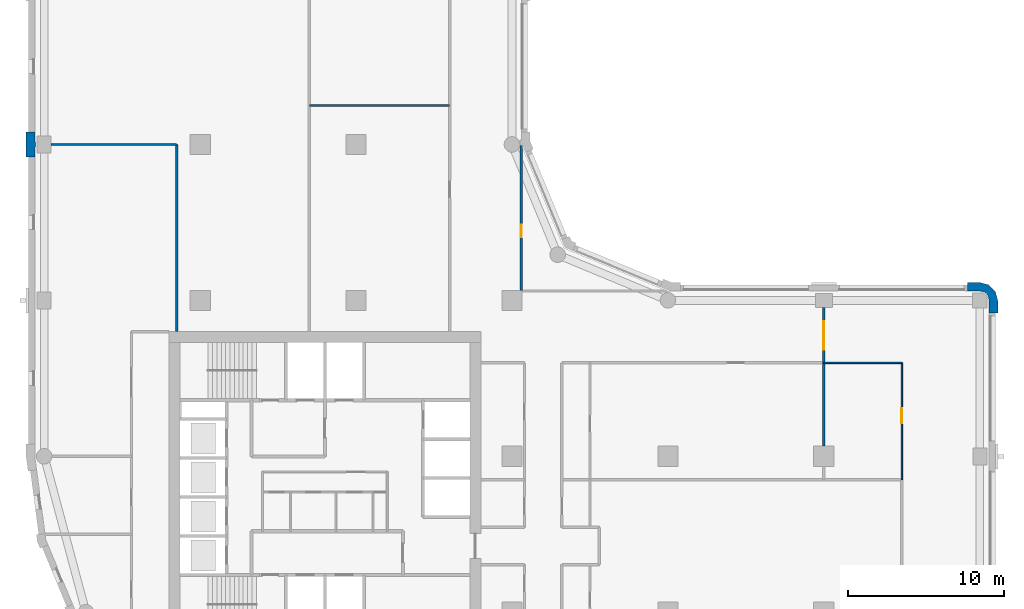
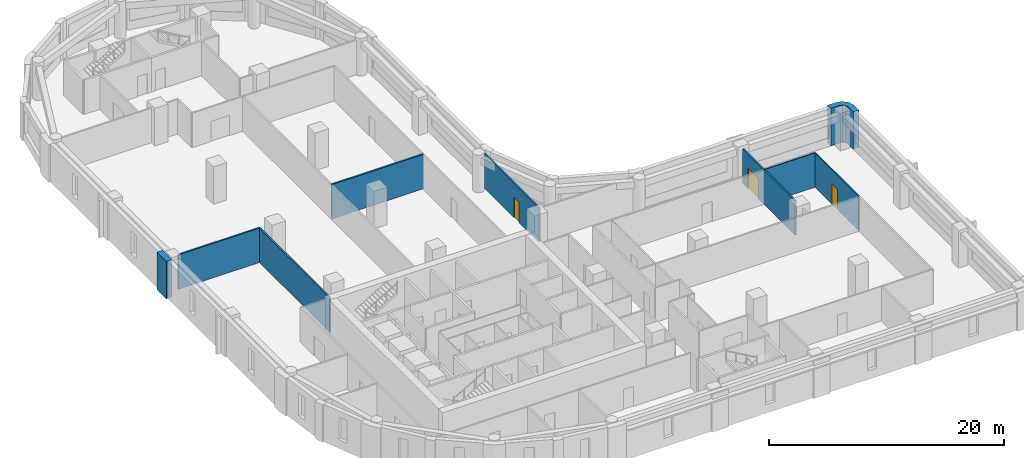
# One storey, part 5 of 9: 9 walls, 3 doors, 3 openings.
"""IFC4 building model written with IfcOpenShell, lengths in metres."""

from ifc_helpers import new_model, si_unit, direction, frame, frame_2d, origin, place, context, subcontext, project, spatial, polyline, rectangle, outline, extrude, material, layer, layer_set, type_object, element, fill, save


model = new_model("IFC4")

# Units and contexts
model_context = context("Model", 3, precision=1e-05, world=origin(), true_north=direction((0.0, 1.0)))
body_context = subcontext(model_context, "Body", "Model", "MODEL_VIEW")
ifc_project = project(units=[si_unit("LENGTHUNIT", "METRE"), si_unit("AREAUNIT", "SQUARE_METRE"), si_unit("VOLUMEUNIT", "CUBIC_METRE"), si_unit("PLANEANGLEUNIT", "RADIAN"), si_unit("MASSUNIT", "GRAM", prefix="KILO")], contexts=[model_context])

# Site, building, storey
site_placement = place(None, origin())
site = spatial("IfcSite", under=ifc_project, at=site_placement, CompositionType="ELEMENT")
building_placement = place(site_placement, origin())
building = spatial("IfcBuilding", under=site, at=building_placement, Name="Qaws Garden Tower", CompositionType="ELEMENT")
storey_placement = place(building_placement, frame((0.0, 0.0, 174.60009765625)))
storey = spatial("IfcBuildingStorey", under=building, at=storey_placement, Name="L42", CompositionType="ELEMENT", Elevation=174.60009765625)

# Walls
ifc_material_1 = material(Name="Clay facing brick masonry", Category="masonry")
ifc_layer_1 = layer(ifc_material_1, 0.550048828125)
ifc_layer_set_1 = layer_set([ifc_layer_1], Name="Clay facing brick masonry")
wall_type_1 = type_object("IfcWallType", Name="Brick corner pier 550 x 2400", PredefinedType="SOLIDWALL", material=ifc_layer_set_1)
placement = place(storey_placement, origin())
element("IfcWall", 1, at=placement, inside=storey, type_object=wall_type_1, Name="E-L42-pier-07", PredefinedType="SOLIDWALL", context=body_context, shape_type="SweptSolid", body=[
    extrude(outline(polyline([(61.0, 29.199951171875), (61.14990234375, 29.199951171875), (61.14990234375, 30.0), (60.995849609375, 30.574951171875), (60.574951171875, 30.995849609375), (60.0, 31.14990234375), (59.199951171875, 31.14990234375), (59.199951171875, 31.0), (59.199951171875, 30.60009765625), (60.0, 30.60009765625), (60.300048828125, 30.51953125), (60.51953125, 30.300048828125), (60.60009765625, 30.0), (60.60009765625, 29.199951171875), (61.0, 29.199951171875)])), origin(), (0.0, 0.0, 1.0), 3.89990234375),
])
ifc_material_2 = material(Name="Clay facing brick masonry", Category="masonry")
ifc_layer_2 = layer(ifc_material_2, 0.550048828125)
ifc_layer_set_2 = layer_set([ifc_layer_2], Name="Clay facing brick masonry")
wall_type_2 = type_object("IfcWallType", Name="Brick pier 550 x 1600", PredefinedType="SOLIDWALL", material=ifc_layer_set_2)
element("IfcWall", 2, at=placement, inside=storey, type_object=wall_type_2, Name="E-L42-pier-23", PredefinedType="SOLIDWALL", context=body_context, shape_type="SweptSolid", body=[
    extrude(outline(polyline([(-0.60009765625, 39.199951171875), (-0.60009765625, 39.85009765625), (-0.550048828125, 39.85009765625), (-0.550048828125, 40.14990234375), (-0.60009765625, 40.14990234375), (-0.60009765625, 40.800048828125), (-1.0, 40.800048828125), (-1.14990234375, 40.800048828125), (-1.14990234375, 40.0), (-1.14990234375, 39.199951171875), (-1.0, 39.199951171875), (-0.60009765625, 39.199951171875)])), origin(), (0.0, 0.0, 1.0), 3.89990234375),
])

# Wall, opening, door
ifc_material_3 = material(Name="Gypsum board partition")
ifc_layer_3 = layer(ifc_material_3, 0.10009765625)
ifc_layer_set_3 = layer_set([ifc_layer_3], Name="Gypsum board partition")
wall_type_3 = type_object("IfcWallType", Name="PARTITION 100", PredefinedType="PARTITIONING", material=ifc_layer_set_3)
wall_3_placement = place(storey_placement, frame((55.0, 18.5, 0.0), z_axis=(0.0, 0.0, 1.0), x_axis=(0.0, 1.0, 0.0)))
wall_3 = element("IfcWall", 3, at=wall_3_placement, inside=storey, type_object=wall_type_3, Name="O-L42-wall-003", PredefinedType="PARTITIONING", context=body_context, shape_type="SweptSolid", body=[
    extrude(rectangle(XDim=7.5, YDim=0.10009765625, at=frame_2d((3.75, 0.0))), origin(), (0.0, 0.0, 1.0), 3.579833984375),
])
opening_1_placement = place(wall_3_placement, frame((3.625, 0.0, 0.0)))
opening_1 = element("IfcOpeningElement", 4, at=opening_1_placement, cuts=wall_3, Name="Opening B422", PredefinedType="OPENING", context=body_context, shape_type="SweptSolid", body=[
    extrude(rectangle(XDim=0.949951171875, YDim=2.10009765625, at=frame_2d((0.47509765625, 1.050048828125))), frame((0.0, 0.06005859375, 0.0), z_axis=(0.0, -1.0, 0.0), x_axis=(1.0, 0.0, 0.0)), (0.0, 0.0, 1.0), 0.1201171875),
])
ifc_material_4 = material(Name="Timber and glass door leaf", Category="wood")
door_type_1 = type_object("IfcDoorType", Name="GLAZED DOOR 950 X 2100", OperationType="SINGLE_SWING_LEFT", PredefinedType="DOOR", material=ifc_material_4)
door_1_placement = place(opening_1_placement, origin())
door_1 = element("IfcDoor", 5, at=door_1_placement, inside=storey, type_object=door_type_1, Name="O-L42-door-022", OperationType="SINGLE_SWING_RIGHT", OverallHeight=2.10009765625, OverallWidth=0.949951171875, PredefinedType="DOOR", context=body_context, shape_type="SweptSolid", body=[
    extrude(rectangle(XDim=0.949951171875, YDim=2.10009765625, at=frame_2d((0.47509765625, 1.050048828125))), frame((0.0, 0.02490234375, 0.0), z_axis=(0.0, -1.0, 0.0), x_axis=(1.0, 0.0, 0.0)), (0.0, 0.0, 1.0), 0.050048828125),
])
fill(opening_1, door_1)

# Walls
wall_4_placement = place(storey_placement, frame((50.0, 26.0, 0.0), z_axis=(0.0, 0.0, 1.0), x_axis=(1.0, 0.0, 0.0)))
element("IfcWall", 6, at=wall_4_placement, inside=storey, type_object=wall_type_3, Name="O-L42-wall-005", PredefinedType="PARTITIONING", context=body_context, shape_type="SweptSolid", body=[
    extrude(rectangle(XDim=5.0, YDim=0.10009765625, at=frame_2d((2.5, 0.0))), origin(), (0.0, 0.0, 1.0), 3.579833984375),
])
ifc_material_5 = material(Name="Gypsum board partition")
ifc_layer_4 = layer(ifc_material_5, 0.14990234375)
ifc_layer_set_4 = layer_set([ifc_layer_4], Name="Gypsum board partition")
wall_type_4 = type_object("IfcWallType", Name="PARTITION 150 EI 60", PredefinedType="PARTITIONING", material=ifc_layer_set_4)
wall_5_placement = place(storey_placement, frame((8.5, 28.0, 0.0), z_axis=(0.0, 0.0, 1.0), x_axis=(0.0, 1.0, 0.0)))
element("IfcWall", 7, at=wall_5_placement, inside=storey, type_object=wall_type_4, Name="O-L42-wall-008", PredefinedType="PARTITIONING", context=body_context, shape_type="SweptSolid", body=[
    extrude(rectangle(XDim=12.0, YDim=0.14990234375, at=frame_2d((6.0, 0.0))), origin(), (0.0, 0.0, 1.0), 3.579833984375),
])

# Wall, opening, door
wall_6_placement = place(storey_placement, frame((30.60009765625, 30.64990234375, 0.0), z_axis=(0.0, 0.0, 1.0), x_axis=(0.0, 1.0, 0.0)))
wall_6 = element("IfcWall", 8, at=wall_6_placement, inside=storey, type_object=wall_type_4, Name="O-L42-wall-015", PredefinedType="PARTITIONING", context=body_context, shape_type="SweptSolid", body=[
    extrude(rectangle(XDim=9.288330078125, YDim=0.14990234375, at=frame_2d((4.64404296875, 0.0))), origin(), (0.0, 0.0, 1.0), 3.579833984375),
])
opening_2_placement = place(wall_6_placement, frame((3.39990234375, 0.0, 0.0)))
opening_2 = element("IfcOpeningElement", 9, at=opening_2_placement, cuts=wall_6, Name="Opening B413", PredefinedType="OPENING", context=body_context, shape_type="SweptSolid", body=[
    extrude(rectangle(XDim=0.800048828125, YDim=2.10009765625, at=frame_2d((0.39990234375, 1.050048828125))), frame((0.0, 0.0849609375, 0.0), z_axis=(0.0, -1.0, 0.0), x_axis=(1.0, 0.0, 0.0)), (0.0, 0.0, 1.0), 0.169921875),
])
ifc_material_6 = material(Name="Timber door leaf", Category="wood")
door_type_2 = type_object("IfcDoorType", Name="STORE DOOR 800 X 2100", OperationType="SINGLE_SWING_LEFT", PredefinedType="DOOR", material=ifc_material_6)
door_2_placement = place(opening_2_placement, frame((0.800048828125, 0.0, 0.0), z_axis=(0.0, 0.0, 1.0), x_axis=(-1.0, 0.0, 0.0)))
door_2 = element("IfcDoor", 10, at=door_2_placement, inside=storey, type_object=door_type_2, Name="O-L42-door-013", OperationType="SINGLE_SWING_LEFT", OverallHeight=2.10009765625, OverallWidth=0.800048828125, PredefinedType="DOOR", context=body_context, shape_type="SweptSolid", body=[
    extrude(rectangle(XDim=0.800048828125, YDim=2.10009765625, at=frame_2d((0.39990234375, 1.050048828125))), frame((0.0, 0.02490234375, 0.0), z_axis=(0.0, -1.0, 0.0), x_axis=(1.0, 0.0, 0.0)), (0.0, 0.0, 1.0), 0.050048828125),
])
fill(opening_2, door_2)

wall_7_placement = place(storey_placement, frame((50.0, 20.64990234375, 0.0), z_axis=(0.0, 0.0, 1.0), x_axis=(0.0, 1.0, 0.0)))
wall_7 = element("IfcWall", 11, at=wall_7_placement, inside=storey, type_object=wall_type_4, Name="O-L42-wall-027", PredefinedType="PARTITIONING", context=body_context, shape_type="SweptSolid", body=[
    extrude(rectangle(XDim=8.900146484375, YDim=0.14990234375, at=frame_2d((4.4501953125, 0.0))), origin(), (0.0, 0.0, 1.0), 3.579833984375),
])
opening_3_placement = place(wall_7_placement, frame((6.199951171875, 0.0, 0.0)))
opening_3 = element("IfcOpeningElement", 12, at=opening_3_placement, cuts=wall_7, Name="Opening B406", PredefinedType="OPENING", context=body_context, shape_type="SweptSolid", body=[
    extrude(rectangle(XDim=1.800048828125, YDim=2.10009765625, at=frame_2d((0.89990234375, 1.050048828125))), frame((0.0, 0.0849609375, 0.0), z_axis=(0.0, -1.0, 0.0), x_axis=(1.0, 0.0, 0.0)), (0.0, 0.0, 1.0), 0.169921875),
])
ifc_material_7 = material(Name="Timber door leaf", Category="wood")
door_type_3 = type_object("IfcDoorType", Name="DOUBLE DOOR 1800 X 2100", OperationType="DOUBLE_DOOR_SINGLE_SWING", PredefinedType="DOOR", material=ifc_material_7)
door_3_placement = place(opening_3_placement, frame((1.800048828125, 0.0, 0.0), z_axis=(0.0, 0.0, 1.0), x_axis=(-1.0, 0.0, 0.0)))
door_3 = element("IfcDoor", 13, at=door_3_placement, inside=storey, type_object=door_type_3, Name="O-L42-door-006", OperationType="DOUBLE_DOOR_SINGLE_SWING", OverallHeight=2.10009765625, OverallWidth=1.800048828125, PredefinedType="DOOR", context=body_context, shape_type="SweptSolid", body=[
    extrude(rectangle(XDim=1.800048828125, YDim=2.10009765625, at=frame_2d((0.89990234375, 1.050048828125))), frame((0.0, 0.02490234375, 0.0), z_axis=(0.0, -1.0, 0.0), x_axis=(1.0, 0.0, 0.0)), (0.0, 0.0, 1.0), 0.050048828125),
])
fill(opening_3, door_3)

# Walls
wall_8_placement = place(storey_placement, frame((0.449951171875, 40.0, 0.0), z_axis=(0.0, 0.0, 1.0), x_axis=(1.0, 0.0, 0.0)))
element("IfcWall", 14, at=wall_8_placement, inside=storey, type_object=wall_type_4, Name="O-L42-wall-046", PredefinedType="PARTITIONING", context=body_context, shape_type="SweptSolid", body=[
    extrude(rectangle(XDim=8.050048828125, YDim=0.14990234375, at=frame_2d((4.02490234375, 0.0))), origin(), (0.0, 0.0, 1.0), 3.579833984375),
])
wall_9_placement = place(storey_placement, frame((17.0, 42.5, 0.0), z_axis=(0.0, 0.0, 1.0), x_axis=(1.0, 0.0, 0.0)))
element("IfcWall", 15, at=wall_9_placement, inside=storey, type_object=wall_type_4, Name="O-L42-wall-047", PredefinedType="PARTITIONING", context=body_context, shape_type="SweptSolid", body=[
    extrude(rectangle(XDim=9.0, YDim=0.14990234375, at=frame_2d((4.5, 0.0))), origin(), (0.0, 0.0, 1.0), 3.579833984375),
])

save(model, "model.ifc")
